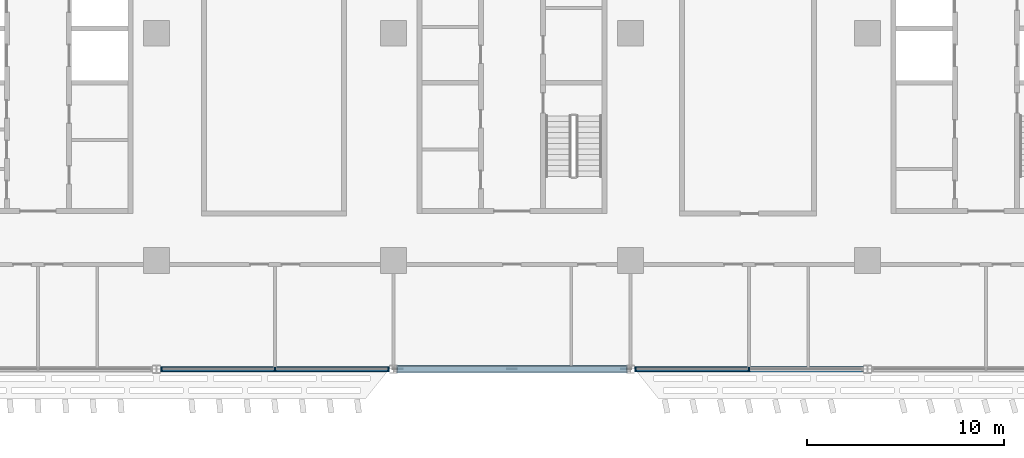
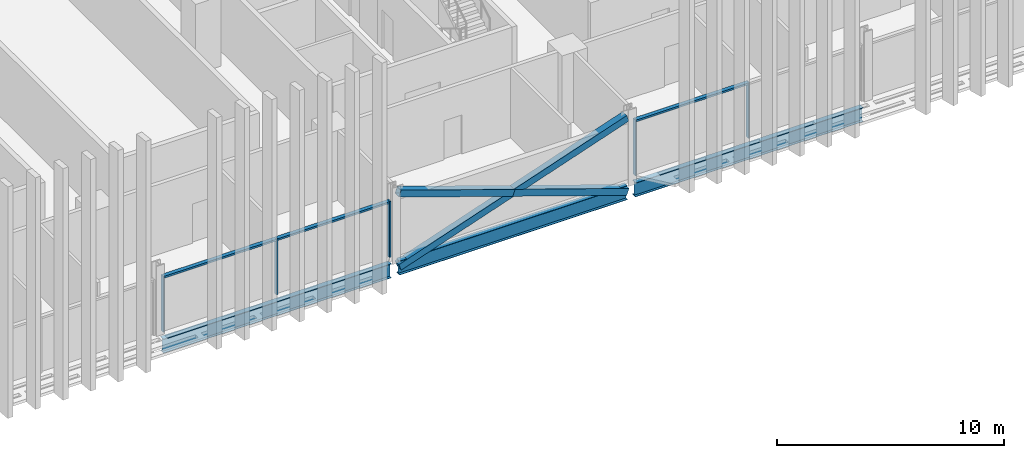
# One storey, part 5 of 32: 11 members, 3 beams, 2 elements without a shape of their own.
"""IFC4 building model written with IfcOpenShell, lengths in metres."""

import ifcopenshell
import ifcopenshell.guid

model = None  # the IFC model being written
_history = None  # IfcOwnerHistory: only IFC2X3 demands one
_inside = {}  # id of a spatial element -> (the spatial element, [elements in it])
_under = {}  # id of a project, library or spatial element -> (it, [spatial elements below it])
_declared = {}  # id of a project -> (the project, [libraries it declares])
_typed = {}  # id of a type object -> (the type object, [elements of that type])
_made_of = {}  # id of a material, layer set ... -> (it, [elements and type objects made of it])


def new_model(schema):
    """Start an empty IFC model of exactly this schema.

    Asked for "IFC4X3", IfcOpenShell would pick the latest addendum, in which some entities
    have other attributes; the version numbers below select the first issue.
    IFC2X3 requires an IfcOwnerHistory on every rooted entity: one is made here for all.
    """
    global model, _history
    if schema == "IFC4X3":
        model = ifcopenshell.file(schema_version=(4, 3, 0, 0))
    else:
        model = ifcopenshell.file(schema=schema)
    _inside.clear()
    _under.clear()
    _declared.clear()
    _typed.clear()
    _made_of.clear()
    _history = None
    if model.schema == "IFC2X3":
        org = make("IfcOrganization", Name="unknown")
        user = make(
            "IfcPersonAndOrganization",
            ThePerson=make("IfcPerson", FamilyName="unknown"),
            TheOrganization=org,
        )
        app = make(
            "IfcApplication",
            ApplicationDeveloper=org,
            Version="unknown",
            ApplicationFullName="unknown",
            ApplicationIdentifier="unknown",
        )
        _history = make(
            "IfcOwnerHistory",
            OwningUser=user,
            OwningApplication=app,
            ChangeAction="ADDED",
            CreationDate=0,
        )
    return model


def make(cls, **values):
    """One entity of the class cls with the attributes given. An attribute that is None is left unset."""
    return model.create_entity(
        cls, **{name: value for name, value in values.items() if value is not None}
    )


def rooted(cls, **values):
    """An entity with a GlobalId (a new one), such as an element, a storey or a relation."""
    return make(cls, GlobalId=ifcopenshell.guid.new(), OwnerHistory=_history, **values)


def si_unit(unit_type, name, prefix=None):
    """IfcSIUnit, for example si_unit("LENGTHUNIT", "METRE", prefix="MILLI")."""
    return make("IfcSIUnit", UnitType=unit_type, Prefix=prefix, Name=name)


def assignment(units):
    """IfcUnitAssignment: the units of a project."""
    return None if units is None else make("IfcUnitAssignment", Units=units)


def point(xyz):
    """IfcCartesianPoint."""
    return None if xyz is None else make("IfcCartesianPoint", Coordinates=xyz)


def direction(xyz):
    """IfcDirection."""
    return None if xyz is None else make("IfcDirection", DirectionRatios=xyz)


def frame(location, z_axis=None, x_axis=None):
    """IfcAxis2Placement3D, a coordinate frame: its origin and axes. An axis left out is left unset."""
    return make(
        "IfcAxis2Placement3D",
        Location=point(location),
        Axis=direction(z_axis),
        RefDirection=direction(x_axis),
    )


def frame_2d(location, x_axis=None):
    """IfcAxis2Placement2D, a coordinate frame in the plane: its origin and x axis."""
    return make(
        "IfcAxis2Placement2D", Location=point(location), RefDirection=direction(x_axis)
    )


def origin():
    """The frame at (0, 0, 0) with its axes left unset."""
    return frame((0.0, 0.0, 0.0))


def origin_2d():
    """The frame at (0, 0) in the plane with its x axis left unset."""
    return frame_2d((0.0, 0.0))


def place(relative_to, where):
    """IfcLocalPlacement: puts the frame where relative to a parent placement (None: the world)."""
    return make(
        "IfcLocalPlacement", PlacementRelTo=relative_to, RelativePlacement=where
    )


def context(
    kind, dimensions, precision=None, world=None, true_north=None, identifier=None
):
    """IfcGeometricRepresentationContext, for example the 3D "Model" context."""
    return make(
        "IfcGeometricRepresentationContext",
        ContextIdentifier=identifier,
        ContextType=kind,
        CoordinateSpaceDimension=dimensions,
        Precision=precision,
        WorldCoordinateSystem=world,
        TrueNorth=true_north,
    )


def subcontext(parent, identifier, kind, view, scale=None):
    """IfcGeometricRepresentationSubContext, for example "Body" below "Model"."""
    return make(
        "IfcGeometricRepresentationSubContext",
        ContextIdentifier=identifier,
        ContextType=kind,
        ParentContext=parent,
        TargetScale=scale,
        TargetView=view,
    )


def project(units=None, contexts=None):
    """IfcProject with its units and contexts."""
    return rooted(
        "IfcProject",
        Name="project",
        RepresentationContexts=contexts,
        UnitsInContext=assignment(units),
    )


def spatial(cls, under=None, at=None, **own):
    """A site, building, storey or space (cls), placed at a placement, below another one or the project."""
    s = rooted(cls, ObjectPlacement=at, **own)
    if under is not None:
        _under.setdefault(under.id(), (under, []))[1].append(s)
    return s


def profile(cls, at=None, kind="AREA", **sizes):
    """A parametric profile (cls). Its sizes go by their IFC names, for example OverallWidth=200.0."""
    return make(cls, ProfileType=kind, Position=at, **sizes)


def rectangle(**sizes):
    """IfcRectangleProfileDef."""
    return profile("IfcRectangleProfileDef", **sizes)


def hollow_rectangle(**sizes):
    """IfcRectangleHollowProfileDef."""
    return profile("IfcRectangleHollowProfileDef", **sizes)


def i_section(**sizes):
    """IfcIShapeProfileDef."""
    return profile("IfcIShapeProfileDef", **sizes)


def extrude(swept, where, along, depth):
    """IfcExtrudedAreaSolid: the profile swept, set in the frame where, extruded along a direction by depth."""
    return make(
        "IfcExtrudedAreaSolid",
        SweptArea=swept,
        Position=where,
        ExtrudedDirection=direction(along),
        Depth=depth,
    )


def shape(context_of_items, identifier, shape_type, items):
    """IfcShapeRepresentation: the items that make up one representation, for example the "Body"."""
    return make(
        "IfcShapeRepresentation",
        ContextOfItems=context_of_items,
        RepresentationIdentifier=identifier,
        RepresentationType=shape_type,
        Items=items,
    )


def material(Name=None, Category=None):
    """IfcMaterial."""
    return make("IfcMaterial", Name=Name, Category=Category)


def material_profile(
    of_material, cross_section, Name=None, Category=None, Priority=None
):
    """IfcMaterialProfile: a cross section and its material."""
    return make(
        "IfcMaterialProfile",
        Name=Name,
        Material=of_material,
        Profile=cross_section,
        Priority=Priority,
        Category=Category,
    )


def profile_set(profiles, Name=None, composite=None):
    """IfcMaterialProfileSet."""
    return make(
        "IfcMaterialProfileSet",
        Name=Name,
        MaterialProfiles=profiles,
        CompositeProfile=composite,
    )


def made_of(thing, what):
    """Note that an element or type object is made of a material, layer set ...; save() writes the relation."""
    if what is not None:
        _made_of.setdefault(what.id(), (what, []))[1].append(thing)
    return thing


def type_object(cls, material=None, **own):
    """A type object (cls), such as IfcWallType, which elements share."""
    return made_of(rooted(cls, **own), material)


def element(
    cls,
    number,
    at=None,
    inside=None,
    cuts=None,
    type_object=None,
    material=None,
    context=None,
    identifier="Body",
    shape_type=None,
    held_by="IfcProductDefinitionShape",
    body=None,
    shapes=None,
    **own,
):
    """One element of the class cls, such as IfcWall. Its Tag is "e" and its number.

    at: its placement. inside: the storey or other place that contains it. cuts: it is an
    opening in that element (IfcRelVoidsElement). A single representation is given by context,
    identifier, shape_type and body (its items); several are given by shapes. held_by: the class
    of the entity that holds the representations. save() writes the other relations.
    """
    e = rooted(cls, Tag="e%d" % number, ObjectPlacement=at, **own)
    if body is not None:
        shapes = [shape(context, identifier, shape_type, body)]
    if shapes is not None:
        e.Representation = make(held_by, Representations=shapes)
    if inside is not None:
        _inside.setdefault(inside.id(), (inside, []))[1].append(e)
    if cuts is not None:
        rooted(
            "IfcRelVoidsElement", RelatingBuildingElement=cuts, RelatedOpeningElement=e
        )
    if type_object is not None:
        _typed.setdefault(type_object.id(), (type_object, []))[1].append(e)
    return made_of(e, material)


def aggregate(whole, parts):
    """IfcRelAggregates: a whole, such as a stair, and the parts it consists of."""
    return rooted("IfcRelAggregates", RelatingObject=whole, RelatedObjects=parts)


def save(model, path):
    """Write the relations noted so far, then the file.

    IfcRelAggregates (storeys below a building ...), IfcRelContainedInSpatialStructure (elements
    in a storey), IfcRelDefinesByType, IfcRelAssociatesMaterial and IfcRelDeclares: one each for
    every whole, place, type object, material and project.
    """
    for whole, parts in _under.values():
        aggregate(whole, parts)
    for where, things in _inside.values():
        rooted(
            "IfcRelContainedInSpatialStructure",
            RelatedElements=things,
            RelatingStructure=where,
        )
    for kind, things in _typed.values():
        rooted("IfcRelDefinesByType", RelatedObjects=things, RelatingType=kind)
    for what, things in _made_of.values():
        rooted("IfcRelAssociatesMaterial", RelatedObjects=things, RelatingMaterial=what)
    for by, libraries in _declared.values():
        rooted("IfcRelDeclares", RelatingContext=by, RelatedDefinitions=libraries)
    model.write(path)


model = new_model("IFC4")

# Units and contexts
model_context = context("Model", 3, precision=1e-05, world=origin(), true_north=direction((0.0, 1.0)))
body_context = subcontext(model_context, "Body", "Model", "MODEL_VIEW")
ifc_project = project(units=[si_unit("LENGTHUNIT", "METRE"), si_unit("AREAUNIT", "SQUARE_METRE"), si_unit("VOLUMEUNIT", "CUBIC_METRE"), si_unit("PLANEANGLEUNIT", "RADIAN"), si_unit("MASSUNIT", "GRAM", prefix="KILO")], contexts=[model_context])

# Site, building, storey
site_placement = place(None, origin())
site = spatial("IfcSite", under=ifc_project, at=site_placement, CompositionType="ELEMENT")
building_placement = place(site_placement, origin())
building = spatial("IfcBuilding", under=site, at=building_placement, Name="Mahtab Terrace Research Tower", CompositionType="ELEMENT")
storey_placement = place(building_placement, frame((0.0, 0.0, 138.39990234375)))
storey = spatial("IfcBuildingStorey", under=building, at=storey_placement, Name="L32", CompositionType="ELEMENT", Elevation=138.39990234375)

# Members
ifc_material_1 = material(Name="Steel ASTM A500 Gr C", Category="steel")
ifc_material_profile_1 = material_profile(ifc_material_1, hollow_rectangle(XDim=0.355712890625, YDim=0.355712890625, WallThickness=0.01904296875, at=origin_2d()), Name="HSS14X14X3/4")
ifc_profile_set_1 = profile_set([ifc_material_profile_1], Name="Steel ASTM A500 Gr C")
member_type_1 = type_object("IfcMemberType", Name="HSS 14x14x3/4 brace XB141434", PredefinedType="BRACE", material=ifc_profile_set_1)
member_1_placement = place(storey_placement, frame((-5.794189453125, -17.0, -0.64794921875), z_axis=(0.946294377485, 0.0, 0.323306280699), x_axis=(0.0, 1.0, 0.0)))
element("IfcMember", 1, at=member_1_placement, inside=storey, type_object=member_type_1, Name="Exoskeleton brace L32 17 a", PredefinedType="BRACE", context=body_context, shape_type="SweptSolid", body=[
    extrude(hollow_rectangle(XDim=0.355712890625, YDim=0.355712890625, WallThickness=0.01904296875, at=origin_2d()), origin(), (0.0, 0.0, 1.0), 12.24609375),
])
for number, where, z_axis, x_axis, name in (
    (2, (5.794189453125, -17.0, -0.64794921875), (-0.946300476713, 0.0, 0.323288428146), (0.0, -1.0, 0.0), "Exoskeleton brace L32 17 b1"),
    (3, (0.0, -17.0, 1.33154296875), (-0.946288278, 0.0, 0.323324132908), (0.0, -1.0, 0.0), "Exoskeleton brace L32 17 b2"),
):
    element("IfcMember", number, at=place(storey_placement, frame(where, z_axis=z_axis, x_axis=x_axis)), inside=storey, type_object=member_type_1, Name=name, PredefinedType="BRACE", context=body_context, shape_type="SweptSolid", body=[
        extrude(hollow_rectangle(XDim=0.355712890625, YDim=0.355712890625, WallThickness=0.01904296875, at=origin_2d()), origin(), (0.0, 0.0, 1.0), 6.123046875),
    ])

# Curtain wall, members
ifc_material_2 = material(Name="Laboratory ribbon curtain wall")
curtain_wall_type = type_object("IfcCurtainWallType", Name="Laboratory ribbon curtain wall", PredefinedType="NOTDEFINED", material=ifc_material_2)
curtain_wall_1_placement = place(storey_placement, origin())
curtain_wall_1 = element("IfcCurtainWall", 4, at=curtain_wall_1_placement, inside=storey, type_object=curtain_wall_type, Name="EN.L32.13.26", PredefinedType="NOTDEFINED")
ifc_material_3 = material(Name="Natural anodised aluminium", Category="aluminium")
ifc_material_profile_2 = material_profile(ifc_material_3, rectangle(XDim=0.199951171875, YDim=0.06494140625, at=origin_2d()), Name="MULLION 65x200")
ifc_profile_set_2 = profile_set([ifc_material_profile_2], Name="Natural anodised aluminium")
member_type_2 = type_object("IfcMemberType", Name="Laboratory ribbon curtain wall mullion", PredefinedType="MULLION", material=ifc_profile_set_2)
member_2_placement = place(storey_placement, frame((-17.74951171875, -17.0, 0.0), z_axis=(0.0, 0.0, 1.0), x_axis=(0.0, 1.0, 0.0)))
member_2 = element("IfcMember", 5, at=member_2_placement, type_object=member_type_2, Name="CWL-4 mullion 1", PredefinedType="MULLION", context=body_context, shape_type="SweptSolid", body=[
    extrude(rectangle(XDim=0.199951171875, YDim=0.06494140625, at=origin_2d()), origin(), (0.0, 0.0, 1.0), 3.003173828125),
])
member_3_placement = place(storey_placement, frame((-12.0, -17.0, 0.0), z_axis=(0.0, 0.0, 1.0), x_axis=(0.0, 1.0, 0.0)))
member_3 = element("IfcMember", 6, at=member_3_placement, type_object=member_type_2, Name="CWL-4 mullion 2", PredefinedType="MULLION", context=body_context, shape_type="SweptSolid", body=[
    extrude(rectangle(XDim=0.199951171875, YDim=0.06494140625, at=origin_2d()), origin(), (0.0, 0.0, 1.0), 3.003173828125),
])
member_4_placement = place(storey_placement, frame((-6.25048828125, -17.0, 0.0), z_axis=(0.0, 0.0, 1.0), x_axis=(0.0, 1.0, 0.0)))
member_4 = element("IfcMember", 7, at=member_4_placement, type_object=member_type_2, Name="CWL-4 mullion 3", PredefinedType="MULLION", context=body_context, shape_type="SweptSolid", body=[
    extrude(rectangle(XDim=0.199951171875, YDim=0.06494140625, at=origin_2d()), origin(), (0.0, 0.0, 1.0), 3.003173828125),
])

curtain_wall_2_placement = place(storey_placement, origin())
curtain_wall_2 = element("IfcCurtainWall", 8, at=curtain_wall_2_placement, inside=storey, type_object=curtain_wall_type, Name="EN.L32.13.28", PredefinedType="NOTDEFINED")
member_5_placement = place(storey_placement, frame((6.25048828125, -17.0, 0.0), z_axis=(0.0, 0.0, 1.0), x_axis=(0.0, 1.0, 0.0)))
member_5 = element("IfcMember", 9, at=member_5_placement, type_object=member_type_2, Name="CWL-4 mullion 1", PredefinedType="MULLION", context=body_context, shape_type="SweptSolid", body=[
    extrude(rectangle(XDim=0.199951171875, YDim=0.06494140625, at=origin_2d()), origin(), (0.0, 0.0, 1.0), 3.003173828125),
])
member_6_placement = place(storey_placement, frame((12.0, -17.0, 0.0), z_axis=(0.0, 0.0, 1.0), x_axis=(0.0, 1.0, 0.0)))
member_6 = element("IfcMember", 10, at=member_6_placement, type_object=member_type_2, Name="CWL-4 mullion 2", PredefinedType="MULLION", context=body_context, shape_type="SweptSolid", body=[
    extrude(rectangle(XDim=0.199951171875, YDim=0.06494140625, at=origin_2d()), origin(), (0.0, 0.0, 1.0), 3.003173828125),
])

# Member
ifc_material_profile_3 = material_profile(ifc_material_3, rectangle(XDim=0.199951171875, YDim=0.10009765625, at=origin_2d()), Name="TRANSOM 100x200")
ifc_profile_set_3 = profile_set([ifc_material_profile_3], Name="Natural anodised aluminium")
member_type_3 = type_object("IfcMemberType", Name="Laboratory ribbon curtain wall transom", PredefinedType="USERDEFINED", material=ifc_profile_set_3)
member_7_placement = place(storey_placement, frame((-17.717041015625, -17.0, 2.953125), z_axis=(1.0, 0.0, 0.0), x_axis=(0.0, 1.0, 0.0)))
member_7 = element("IfcMember", 11, at=member_7_placement, type_object=member_type_3, Name="CWL-4 transom 1", ObjectType="TRANSOM", PredefinedType="USERDEFINED", context=body_context, shape_type="SweptSolid", body=[
    extrude(rectangle(XDim=0.199951171875, YDim=0.10009765625, at=origin_2d()), origin(), (0.0, 0.0, 1.0), 5.6845703125),
])

member_8_placement = place(storey_placement, frame((-11.967529296875, -17.0, 2.953125), z_axis=(1.0, 0.0, 0.0), x_axis=(0.0, 1.0, 0.0)))
member_8 = element("IfcMember", 12, at=member_8_placement, type_object=member_type_3, Name="CWL-4 transom 2", ObjectType="TRANSOM", PredefinedType="USERDEFINED", context=body_context, shape_type="SweptSolid", body=[
    extrude(rectangle(XDim=0.199951171875, YDim=0.10009765625, at=origin_2d()), origin(), (0.0, 0.0, 1.0), 5.6845703125),
])

aggregate(curtain_wall_1, [member_2, member_3, member_4, member_7, member_8])

member_9_placement = place(storey_placement, frame((6.282958984375, -17.0, 2.953125), z_axis=(1.0, 0.0, 0.0), x_axis=(0.0, 1.0, 0.0)))
member_9 = element("IfcMember", 13, at=member_9_placement, type_object=member_type_3, Name="CWL-4 transom 1", ObjectType="TRANSOM", PredefinedType="USERDEFINED", context=body_context, shape_type="SweptSolid", body=[
    extrude(rectangle(XDim=0.199951171875, YDim=0.10009765625, at=origin_2d()), origin(), (0.0, 0.0, 1.0), 5.6845703125),
])

aggregate(curtain_wall_2, [member_5, member_6, member_9])

# Beams
ifc_material_4 = material(Name="Steel ASTM A992 Gr 50", Category="steel")
ifc_material_profile_4 = material_profile(ifc_material_4, i_section(OverallWidth=0.2666015625, OverallDepth=0.7568359375, WebThickness=0.013916015625, FlangeThickness=0.019287109375, at=origin_2d()), Name="W30X108")
ifc_profile_set_4 = profile_set([ifc_material_profile_4], Name="Steel ASTM A992 Gr 50")
beam_type = type_object("IfcBeamType", Name="W30x108 beam BS30108", PredefinedType="BEAM", material=ifc_profile_set_4)
for number, where, z_axis, x_axis, name in (
    (14, (-17.794189453125, -17.0, -0.71826171875), (1.0, 0.0, 0.0), (0.0, 1.0, 0.0), "Spandrel beam L32 16"),
    (15, (-5.794189453125, -17.0, -0.71826171875), (1.0, 0.0, 0.0), (0.0, 1.0, 0.0), "Spandrel beam L32 17"),
    (16, (6.205810546875, -17.0, -0.71826171875), (1.0, 0.0, 0.0), (0.0, 1.0, 0.0), "Spandrel beam L32 18"),
):
    element("IfcBeam", number, at=place(storey_placement, frame(where, z_axis=z_axis, x_axis=x_axis)), inside=storey, type_object=beam_type, Name=name, PredefinedType="BEAM", context=body_context, shape_type="SweptSolid", body=[
        extrude(i_section(OverallWidth=0.2666015625, OverallDepth=0.7568359375, WebThickness=0.013916015625, FlangeThickness=0.019287109375, at=origin_2d()), origin(), (0.0, 0.0, 1.0), 11.58837890625),
    ])

save(model, "model.ifc")
